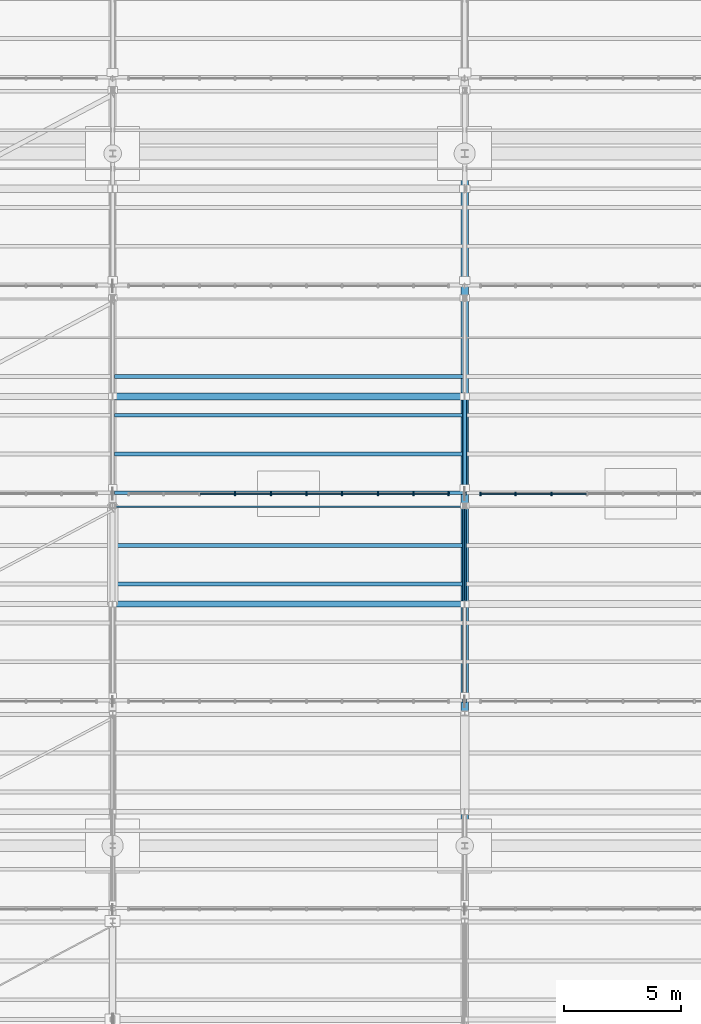
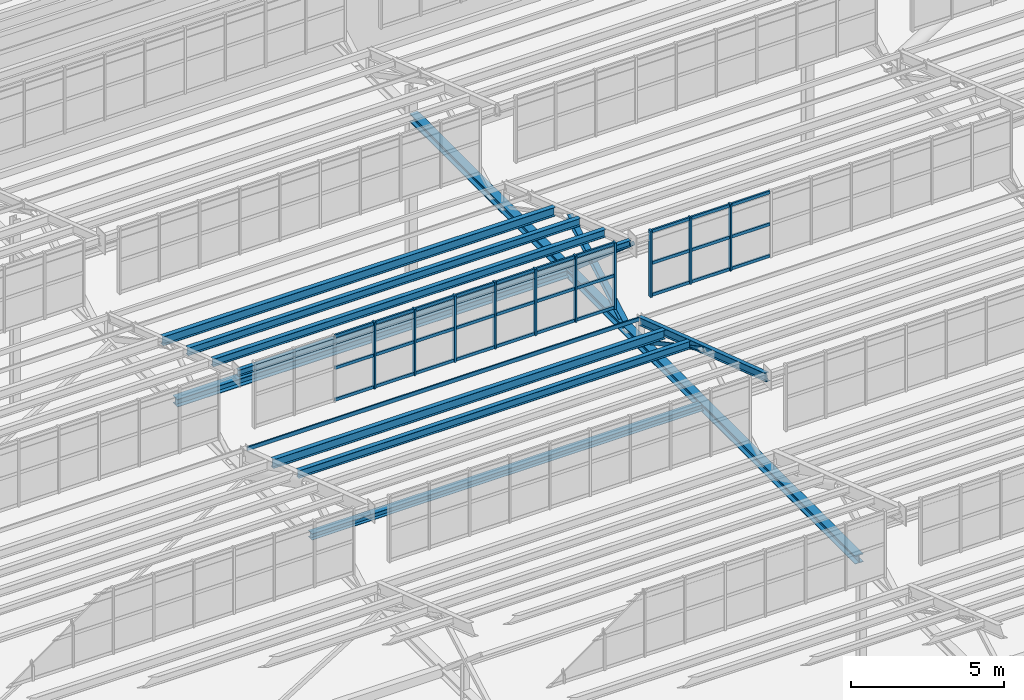
# One storey, part 93 of 285: 45 members, 9 beams, 2 elements without a shape of their own.
"""IFC4 building model written with IfcOpenShell, lengths in metres."""

from ifc_helpers import new_model, si_unit, direction, frame, origin, origin_2d, place, context, subcontext, project, spatial, rectangle, hollow_rectangle, i_section, extrude, material, material_profile, profile_set, type_object, element, aggregate, save


model = new_model("IFC4")

# Units and contexts
model_context = context("Model", 3, precision=1e-05, world=origin(), true_north=direction((0.0, 1.0)))
body_context = subcontext(model_context, "Body", "Model", "MODEL_VIEW")
ifc_project = project(units=[si_unit("LENGTHUNIT", "METRE"), si_unit("AREAUNIT", "SQUARE_METRE"), si_unit("VOLUMEUNIT", "CUBIC_METRE"), si_unit("PLANEANGLEUNIT", "RADIAN"), si_unit("MASSUNIT", "GRAM", prefix="KILO")], contexts=[model_context])

# Site, building, storey
site_placement = place(None, origin())
site = spatial("IfcSite", under=ifc_project, at=site_placement, CompositionType="ELEMENT")
building_placement = place(site_placement, origin())
building = spatial("IfcBuilding", under=site, at=building_placement, Name="Solanera Park Tramway Depot", CompositionType="ELEMENT")
storey_placement = place(building_placement, origin())
storey = spatial("IfcBuildingStorey", under=building, at=storey_placement, Name="L00", CompositionType="ELEMENT", Elevation=0.0)

# Curtain wall, members
ifc_material_1 = material(Name="Bronze-anodised thermally broken aluminium curtain wall", Category="aluminium")
curtain_wall_type = type_object("IfcCurtainWallType", Name="Sawtooth Clerestory Monitor Curtain Wall", PredefinedType="NOTDEFINED", material=ifc_material_1)
curtain_wall_1_placement = place(storey_placement, origin())
curtain_wall_1 = element("IfcCurtainWall", 1, at=curtain_wall_1_placement, inside=storey, type_object=curtain_wall_type, Name="L00 Sawtooth Clerestory Monitor Curtain Wall #039", PredefinedType="NOTDEFINED")
ifc_material_2 = material(Name="Bronze-anodised structural aluminium 6063-T6", Category="aluminium")
ifc_material_profile_1 = material_profile(ifc_material_2, rectangle(XDim=0.06494140625, YDim=0.14990234375, at=origin_2d()), Name="Curtain Wall Mullion 65x150")
ifc_profile_set_1 = profile_set([ifc_material_profile_1], Name="Bronze-anodised structural aluminium 6063-T6")
member_type_1 = type_object("IfcMemberType", Name="Curtain Wall Mullion 65x150", PredefinedType="MULLION", material=ifc_profile_set_1)
member_1_placement = place(storey_placement, frame((65.216796875, 100.0, 7.75), z_axis=(0.0, 0.0, 1.0), x_axis=(1.0, 0.0, 0.0)))
member_1 = element("IfcMember", 2, at=member_1_placement, type_object=member_type_1, Name="CW-L00-039 Mullion 4", PredefinedType="MULLION", context=body_context, shape_type="SweptSolid", body=[
    extrude(rectangle(XDim=0.06494140625, YDim=0.14990234375, at=origin_2d()), origin(), (0.0, 0.0, 1.0), 2.6611328125),
])
member_2_placement = place(storey_placement, frame((66.739013671875, 100.0, 7.75), z_axis=(0.0, 0.0, 1.0), x_axis=(1.0, 0.0, 0.0)))
member_2 = element("IfcMember", 3, at=member_2_placement, type_object=member_type_1, Name="CW-L00-039 Mullion 5", PredefinedType="MULLION", context=body_context, shape_type="SweptSolid", body=[
    extrude(rectangle(XDim=0.06494140625, YDim=0.14990234375, at=origin_2d()), origin(), (0.0, 0.0, 1.0), 2.6611328125),
])
member_3_placement = place(storey_placement, frame((68.260986328125, 100.0, 7.75), z_axis=(0.0, 0.0, 1.0), x_axis=(1.0, 0.0, 0.0)))
member_3 = element("IfcMember", 4, at=member_3_placement, type_object=member_type_1, Name="CW-L00-039 Mullion 6", PredefinedType="MULLION", context=body_context, shape_type="SweptSolid", body=[
    extrude(rectangle(XDim=0.06494140625, YDim=0.14990234375, at=origin_2d()), origin(), (0.0, 0.0, 1.0), 2.6611328125),
])
member_4_placement = place(storey_placement, frame((69.783203125, 100.0, 7.75), z_axis=(0.0, 0.0, 1.0), x_axis=(1.0, 0.0, 0.0)))
member_4 = element("IfcMember", 5, at=member_4_placement, type_object=member_type_1, Name="CW-L00-039 Mullion 7", PredefinedType="MULLION", context=body_context, shape_type="SweptSolid", body=[
    extrude(rectangle(XDim=0.06494140625, YDim=0.14990234375, at=origin_2d()), origin(), (0.0, 0.0, 1.0), 2.6611328125),
])
member_5_placement = place(storey_placement, frame((71.3056640625, 100.0, 7.75), z_axis=(0.0, 0.0, 1.0), x_axis=(1.0, 0.0, 0.0)))
member_5 = element("IfcMember", 6, at=member_5_placement, type_object=member_type_1, Name="CW-L00-039 Mullion 8", PredefinedType="MULLION", context=body_context, shape_type="SweptSolid", body=[
    extrude(rectangle(XDim=0.06494140625, YDim=0.14990234375, at=origin_2d()), origin(), (0.0, 0.0, 1.0), 2.6611328125),
])
member_6_placement = place(storey_placement, frame((72.827880859375, 100.0, 7.75), z_axis=(0.0, 0.0, 1.0), x_axis=(1.0, 0.0, 0.0)))
member_6 = element("IfcMember", 7, at=member_6_placement, type_object=member_type_1, Name="CW-L00-039 Mullion 9", PredefinedType="MULLION", context=body_context, shape_type="SweptSolid", body=[
    extrude(rectangle(XDim=0.06494140625, YDim=0.14990234375, at=origin_2d()), origin(), (0.0, 0.0, 1.0), 2.6611328125),
])
member_7_placement = place(storey_placement, frame((74.3173828125, 100.0, 7.75), z_axis=(0.0, 0.0, 1.0), x_axis=(1.0, 0.0, 0.0)))
member_7 = element("IfcMember", 8, at=member_7_placement, type_object=member_type_1, Name="CW-L00-039 Mullion 10", PredefinedType="MULLION", context=body_context, shape_type="SweptSolid", body=[
    extrude(rectangle(XDim=0.06494140625, YDim=0.14990234375, at=origin_2d()), origin(), (0.0, 0.0, 1.0), 2.6611328125),
])

curtain_wall_2_placement = place(storey_placement, origin())
curtain_wall_2 = element("IfcCurtainWall", 9, at=curtain_wall_2_placement, inside=storey, type_object=curtain_wall_type, Name="L00 Sawtooth Clerestory Monitor Curtain Wall #040", PredefinedType="NOTDEFINED")
member_8_placement = place(storey_placement, frame((75.6826171875, 100.0, 7.75), z_axis=(0.0, 0.0, 1.0), x_axis=(1.0, 0.0, 0.0)))
member_8 = element("IfcMember", 10, at=member_8_placement, type_object=member_type_1, Name="CW-L00-040 Mullion 1", PredefinedType="MULLION", context=body_context, shape_type="SweptSolid", body=[
    extrude(rectangle(XDim=0.06494140625, YDim=0.14990234375, at=origin_2d()), origin(), (0.0, 0.0, 1.0), 2.6611328125),
])
member_9_placement = place(storey_placement, frame((77.172119140625, 100.0, 7.75), z_axis=(0.0, 0.0, 1.0), x_axis=(1.0, 0.0, 0.0)))
member_9 = element("IfcMember", 11, at=member_9_placement, type_object=member_type_1, Name="CW-L00-040 Mullion 2", PredefinedType="MULLION", context=body_context, shape_type="SweptSolid", body=[
    extrude(rectangle(XDim=0.06494140625, YDim=0.14990234375, at=origin_2d()), origin(), (0.0, 0.0, 1.0), 2.6611328125),
])
member_10_placement = place(storey_placement, frame((78.6943359375, 100.0, 7.75), z_axis=(0.0, 0.0, 1.0), x_axis=(1.0, 0.0, 0.0)))
member_10 = element("IfcMember", 12, at=member_10_placement, type_object=member_type_1, Name="CW-L00-040 Mullion 3", PredefinedType="MULLION", context=body_context, shape_type="SweptSolid", body=[
    extrude(rectangle(XDim=0.06494140625, YDim=0.14990234375, at=origin_2d()), origin(), (0.0, 0.0, 1.0), 2.6611328125),
])

# Member
ifc_material_3 = material(Name="Bronze-anodised structural aluminium 6063-T6", Category="aluminium")
ifc_material_profile_2 = material_profile(ifc_material_3, rectangle(XDim=0.06494140625, YDim=0.1201171875, at=origin_2d()), Name="Curtain Wall Transom 65x120")
ifc_profile_set_2 = profile_set([ifc_material_profile_2], Name="Bronze-anodised structural aluminium 6063-T6")
member_type_2 = type_object("IfcMemberType", Name="Curtain Wall Transom 65x120", PredefinedType="USERDEFINED", material=ifc_profile_set_2)
member_11_placement = place(storey_placement, frame((63.722412109375, 100.0, 7.81005859375), z_axis=(1.0, 0.0, 0.0), x_axis=(0.0, 1.0, 0.0)))
member_11 = element("IfcMember", 13, at=member_11_placement, type_object=member_type_2, Name="CW-L00-039 Transom R1.C3", ObjectType="TRANSOM", PredefinedType="USERDEFINED", context=body_context, shape_type="SweptSolid", body=[
    extrude(rectangle(XDim=0.06494140625, YDim=0.1201171875, at=origin_2d()), origin(), (0.0, 0.0, 1.0), 1.46630859375),
])

member_12_placement = place(storey_placement, frame((65.24462890625, 100.0, 7.81005859375), z_axis=(1.0, 0.0, 0.0), x_axis=(0.0, 1.0, 0.0)))
member_12 = element("IfcMember", 14, at=member_12_placement, type_object=member_type_2, Name="CW-L00-039 Transom R1.C4", ObjectType="TRANSOM", PredefinedType="USERDEFINED", context=body_context, shape_type="SweptSolid", body=[
    extrude(rectangle(XDim=0.06494140625, YDim=0.1201171875, at=origin_2d()), origin(), (0.0, 0.0, 1.0), 1.46630859375),
])

member_13_placement = place(storey_placement, frame((66.766845703125, 100.0, 7.81005859375), z_axis=(1.0, 0.0, 0.0), x_axis=(0.0, 1.0, 0.0)))
member_13 = element("IfcMember", 15, at=member_13_placement, type_object=member_type_2, Name="CW-L00-039 Transom R1.C5", ObjectType="TRANSOM", PredefinedType="USERDEFINED", context=body_context, shape_type="SweptSolid", body=[
    extrude(rectangle(XDim=0.06494140625, YDim=0.1201171875, at=origin_2d()), origin(), (0.0, 0.0, 1.0), 1.46630859375),
])

member_14_placement = place(storey_placement, frame((68.2890625, 100.0, 7.81005859375), z_axis=(1.0, 0.0, 0.0), x_axis=(0.0, 1.0, 0.0)))
member_14 = element("IfcMember", 16, at=member_14_placement, type_object=member_type_2, Name="CW-L00-039 Transom R1.C6", ObjectType="TRANSOM", PredefinedType="USERDEFINED", context=body_context, shape_type="SweptSolid", body=[
    extrude(rectangle(XDim=0.06494140625, YDim=0.1201171875, at=origin_2d()), origin(), (0.0, 0.0, 1.0), 1.46630859375),
])

member_15_placement = place(storey_placement, frame((69.811279296875, 100.0, 7.81005859375), z_axis=(1.0, 0.0, 0.0), x_axis=(0.0, 1.0, 0.0)))
member_15 = element("IfcMember", 17, at=member_15_placement, type_object=member_type_2, Name="CW-L00-039 Transom R1.C7", ObjectType="TRANSOM", PredefinedType="USERDEFINED", context=body_context, shape_type="SweptSolid", body=[
    extrude(rectangle(XDim=0.06494140625, YDim=0.1201171875, at=origin_2d()), origin(), (0.0, 0.0, 1.0), 1.46630859375),
])

member_16_placement = place(storey_placement, frame((71.33349609375, 100.0, 7.81005859375), z_axis=(1.0, 0.0, 0.0), x_axis=(0.0, 1.0, 0.0)))
member_16 = element("IfcMember", 18, at=member_16_placement, type_object=member_type_2, Name="CW-L00-039 Transom R1.C8", ObjectType="TRANSOM", PredefinedType="USERDEFINED", context=body_context, shape_type="SweptSolid", body=[
    extrude(rectangle(XDim=0.06494140625, YDim=0.1201171875, at=origin_2d()), origin(), (0.0, 0.0, 1.0), 1.46630859375),
])

member_17_placement = place(storey_placement, frame((72.855712890625, 100.0, 7.81005859375), z_axis=(1.0, 0.0, 0.0), x_axis=(0.0, 1.0, 0.0)))
member_17 = element("IfcMember", 19, at=member_17_placement, type_object=member_type_2, Name="CW-L00-039 Transom R1.C9", ObjectType="TRANSOM", PredefinedType="USERDEFINED", context=body_context, shape_type="SweptSolid", body=[
    extrude(rectangle(XDim=0.06494140625, YDim=0.1201171875, at=origin_2d()), origin(), (0.0, 0.0, 1.0), 1.433837890625),
])

member_18_placement = place(storey_placement, frame((63.722412109375, 100.0, 9.08056640625), z_axis=(1.0, 0.0, 0.0), x_axis=(0.0, 1.0, 0.0)))
member_18 = element("IfcMember", 20, at=member_18_placement, type_object=member_type_2, Name="CW-L00-039 Transom R2.C3", ObjectType="TRANSOM", PredefinedType="USERDEFINED", context=body_context, shape_type="SweptSolid", body=[
    extrude(rectangle(XDim=0.06494140625, YDim=0.1201171875, at=origin_2d()), origin(), (0.0, 0.0, 1.0), 1.46630859375),
])

member_19_placement = place(storey_placement, frame((65.24462890625, 100.0, 9.08056640625), z_axis=(1.0, 0.0, 0.0), x_axis=(0.0, 1.0, 0.0)))
member_19 = element("IfcMember", 21, at=member_19_placement, type_object=member_type_2, Name="CW-L00-039 Transom R2.C4", ObjectType="TRANSOM", PredefinedType="USERDEFINED", context=body_context, shape_type="SweptSolid", body=[
    extrude(rectangle(XDim=0.06494140625, YDim=0.1201171875, at=origin_2d()), origin(), (0.0, 0.0, 1.0), 1.46630859375),
])

member_20_placement = place(storey_placement, frame((66.766845703125, 100.0, 9.08056640625), z_axis=(1.0, 0.0, 0.0), x_axis=(0.0, 1.0, 0.0)))
member_20 = element("IfcMember", 22, at=member_20_placement, type_object=member_type_2, Name="CW-L00-039 Transom R2.C5", ObjectType="TRANSOM", PredefinedType="USERDEFINED", context=body_context, shape_type="SweptSolid", body=[
    extrude(rectangle(XDim=0.06494140625, YDim=0.1201171875, at=origin_2d()), origin(), (0.0, 0.0, 1.0), 1.46630859375),
])

member_21_placement = place(storey_placement, frame((68.2890625, 100.0, 9.08056640625), z_axis=(1.0, 0.0, 0.0), x_axis=(0.0, 1.0, 0.0)))
member_21 = element("IfcMember", 23, at=member_21_placement, type_object=member_type_2, Name="CW-L00-039 Transom R2.C6", ObjectType="TRANSOM", PredefinedType="USERDEFINED", context=body_context, shape_type="SweptSolid", body=[
    extrude(rectangle(XDim=0.06494140625, YDim=0.1201171875, at=origin_2d()), origin(), (0.0, 0.0, 1.0), 1.46630859375),
])

member_22_placement = place(storey_placement, frame((69.811279296875, 100.0, 9.08056640625), z_axis=(1.0, 0.0, 0.0), x_axis=(0.0, 1.0, 0.0)))
member_22 = element("IfcMember", 24, at=member_22_placement, type_object=member_type_2, Name="CW-L00-039 Transom R2.C7", ObjectType="TRANSOM", PredefinedType="USERDEFINED", context=body_context, shape_type="SweptSolid", body=[
    extrude(rectangle(XDim=0.06494140625, YDim=0.1201171875, at=origin_2d()), origin(), (0.0, 0.0, 1.0), 1.46630859375),
])

member_23_placement = place(storey_placement, frame((71.33349609375, 100.0, 9.08056640625), z_axis=(1.0, 0.0, 0.0), x_axis=(0.0, 1.0, 0.0)))
member_23 = element("IfcMember", 25, at=member_23_placement, type_object=member_type_2, Name="CW-L00-039 Transom R2.C8", ObjectType="TRANSOM", PredefinedType="USERDEFINED", context=body_context, shape_type="SweptSolid", body=[
    extrude(rectangle(XDim=0.06494140625, YDim=0.1201171875, at=origin_2d()), origin(), (0.0, 0.0, 1.0), 1.46630859375),
])

member_24_placement = place(storey_placement, frame((72.855712890625, 100.0, 9.08056640625), z_axis=(1.0, 0.0, 0.0), x_axis=(0.0, 1.0, 0.0)))
member_24 = element("IfcMember", 26, at=member_24_placement, type_object=member_type_2, Name="CW-L00-039 Transom R2.C9", ObjectType="TRANSOM", PredefinedType="USERDEFINED", context=body_context, shape_type="SweptSolid", body=[
    extrude(rectangle(XDim=0.06494140625, YDim=0.1201171875, at=origin_2d()), origin(), (0.0, 0.0, 1.0), 1.433837890625),
])

member_25_placement = place(storey_placement, frame((63.722412109375, 100.0, 10.351318359375), z_axis=(1.0, 0.0, 0.0), x_axis=(0.0, 1.0, 0.0)))
member_25 = element("IfcMember", 27, at=member_25_placement, type_object=member_type_2, Name="CW-L00-039 Transom R3.C3", ObjectType="TRANSOM", PredefinedType="USERDEFINED", context=body_context, shape_type="SweptSolid", body=[
    extrude(rectangle(XDim=0.06494140625, YDim=0.1201171875, at=origin_2d()), origin(), (0.0, 0.0, 1.0), 1.46630859375),
])

member_26_placement = place(storey_placement, frame((65.24462890625, 100.0, 10.351318359375), z_axis=(1.0, 0.0, 0.0), x_axis=(0.0, 1.0, 0.0)))
member_26 = element("IfcMember", 28, at=member_26_placement, type_object=member_type_2, Name="CW-L00-039 Transom R3.C4", ObjectType="TRANSOM", PredefinedType="USERDEFINED", context=body_context, shape_type="SweptSolid", body=[
    extrude(rectangle(XDim=0.06494140625, YDim=0.1201171875, at=origin_2d()), origin(), (0.0, 0.0, 1.0), 1.46630859375),
])

member_27_placement = place(storey_placement, frame((66.766845703125, 100.0, 10.351318359375), z_axis=(1.0, 0.0, 0.0), x_axis=(0.0, 1.0, 0.0)))
member_27 = element("IfcMember", 29, at=member_27_placement, type_object=member_type_2, Name="CW-L00-039 Transom R3.C5", ObjectType="TRANSOM", PredefinedType="USERDEFINED", context=body_context, shape_type="SweptSolid", body=[
    extrude(rectangle(XDim=0.06494140625, YDim=0.1201171875, at=origin_2d()), origin(), (0.0, 0.0, 1.0), 1.46630859375),
])

member_28_placement = place(storey_placement, frame((68.2890625, 100.0, 10.351318359375), z_axis=(1.0, 0.0, 0.0), x_axis=(0.0, 1.0, 0.0)))
member_28 = element("IfcMember", 30, at=member_28_placement, type_object=member_type_2, Name="CW-L00-039 Transom R3.C6", ObjectType="TRANSOM", PredefinedType="USERDEFINED", context=body_context, shape_type="SweptSolid", body=[
    extrude(rectangle(XDim=0.06494140625, YDim=0.1201171875, at=origin_2d()), origin(), (0.0, 0.0, 1.0), 1.46630859375),
])

member_29_placement = place(storey_placement, frame((69.811279296875, 100.0, 10.351318359375), z_axis=(1.0, 0.0, 0.0), x_axis=(0.0, 1.0, 0.0)))
member_29 = element("IfcMember", 31, at=member_29_placement, type_object=member_type_2, Name="CW-L00-039 Transom R3.C7", ObjectType="TRANSOM", PredefinedType="USERDEFINED", context=body_context, shape_type="SweptSolid", body=[
    extrude(rectangle(XDim=0.06494140625, YDim=0.1201171875, at=origin_2d()), origin(), (0.0, 0.0, 1.0), 1.46630859375),
])

member_30_placement = place(storey_placement, frame((71.33349609375, 100.0, 10.351318359375), z_axis=(1.0, 0.0, 0.0), x_axis=(0.0, 1.0, 0.0)))
member_30 = element("IfcMember", 32, at=member_30_placement, type_object=member_type_2, Name="CW-L00-039 Transom R3.C8", ObjectType="TRANSOM", PredefinedType="USERDEFINED", context=body_context, shape_type="SweptSolid", body=[
    extrude(rectangle(XDim=0.06494140625, YDim=0.1201171875, at=origin_2d()), origin(), (0.0, 0.0, 1.0), 1.46630859375),
])

member_31_placement = place(storey_placement, frame((72.855712890625, 100.0, 10.351318359375), z_axis=(1.0, 0.0, 0.0), x_axis=(0.0, 1.0, 0.0)))
member_31 = element("IfcMember", 33, at=member_31_placement, type_object=member_type_2, Name="CW-L00-039 Transom R3.C9", ObjectType="TRANSOM", PredefinedType="USERDEFINED", context=body_context, shape_type="SweptSolid", body=[
    extrude(rectangle(XDim=0.06494140625, YDim=0.1201171875, at=origin_2d()), origin(), (0.0, 0.0, 1.0), 1.433837890625),
])

aggregate(curtain_wall_1, [member_1, member_2, member_3, member_4, member_5, member_6, member_7, member_11, member_12, member_13, member_14, member_15, member_16, member_17, member_18, member_19, member_20, member_21, member_22, member_23, member_24, member_25, member_26, member_27, member_28, member_29, member_30, member_31])

member_32_placement = place(storey_placement, frame((75.71044921875, 100.0, 7.81005859375), z_axis=(1.0, 0.0, 0.0), x_axis=(0.0, 1.0, 0.0)))
member_32 = element("IfcMember", 34, at=member_32_placement, type_object=member_type_2, Name="CW-L00-040 Transom R1.C1", ObjectType="TRANSOM", PredefinedType="USERDEFINED", context=body_context, shape_type="SweptSolid", body=[
    extrude(rectangle(XDim=0.06494140625, YDim=0.1201171875, at=origin_2d()), origin(), (0.0, 0.0, 1.0), 1.433837890625),
])

member_33_placement = place(storey_placement, frame((77.2001953125, 100.0, 7.81005859375), z_axis=(1.0, 0.0, 0.0), x_axis=(0.0, 1.0, 0.0)))
member_33 = element("IfcMember", 35, at=member_33_placement, type_object=member_type_2, Name="CW-L00-040 Transom R1.C2", ObjectType="TRANSOM", PredefinedType="USERDEFINED", context=body_context, shape_type="SweptSolid", body=[
    extrude(rectangle(XDim=0.06494140625, YDim=0.1201171875, at=origin_2d()), origin(), (0.0, 0.0, 1.0), 1.46630859375),
])

member_34_placement = place(storey_placement, frame((78.722412109375, 100.0, 7.81005859375), z_axis=(1.0, 0.0, 0.0), x_axis=(0.0, 1.0, 0.0)))
member_34 = element("IfcMember", 36, at=member_34_placement, type_object=member_type_2, Name="CW-L00-040 Transom R1.C3", ObjectType="TRANSOM", PredefinedType="USERDEFINED", context=body_context, shape_type="SweptSolid", body=[
    extrude(rectangle(XDim=0.06494140625, YDim=0.1201171875, at=origin_2d()), origin(), (0.0, 0.0, 1.0), 1.46630859375),
])

member_35_placement = place(storey_placement, frame((75.71044921875, 100.0, 9.08056640625), z_axis=(1.0, 0.0, 0.0), x_axis=(0.0, 1.0, 0.0)))
member_35 = element("IfcMember", 37, at=member_35_placement, type_object=member_type_2, Name="CW-L00-040 Transom R2.C1", ObjectType="TRANSOM", PredefinedType="USERDEFINED", context=body_context, shape_type="SweptSolid", body=[
    extrude(rectangle(XDim=0.06494140625, YDim=0.1201171875, at=origin_2d()), origin(), (0.0, 0.0, 1.0), 1.433837890625),
])

member_36_placement = place(storey_placement, frame((77.2001953125, 100.0, 9.08056640625), z_axis=(1.0, 0.0, 0.0), x_axis=(0.0, 1.0, 0.0)))
member_36 = element("IfcMember", 38, at=member_36_placement, type_object=member_type_2, Name="CW-L00-040 Transom R2.C2", ObjectType="TRANSOM", PredefinedType="USERDEFINED", context=body_context, shape_type="SweptSolid", body=[
    extrude(rectangle(XDim=0.06494140625, YDim=0.1201171875, at=origin_2d()), origin(), (0.0, 0.0, 1.0), 1.46630859375),
])

member_37_placement = place(storey_placement, frame((78.722412109375, 100.0, 9.08056640625), z_axis=(1.0, 0.0, 0.0), x_axis=(0.0, 1.0, 0.0)))
member_37 = element("IfcMember", 39, at=member_37_placement, type_object=member_type_2, Name="CW-L00-040 Transom R2.C3", ObjectType="TRANSOM", PredefinedType="USERDEFINED", context=body_context, shape_type="SweptSolid", body=[
    extrude(rectangle(XDim=0.06494140625, YDim=0.1201171875, at=origin_2d()), origin(), (0.0, 0.0, 1.0), 1.46630859375),
])

member_38_placement = place(storey_placement, frame((75.71044921875, 100.0, 10.351318359375), z_axis=(1.0, 0.0, 0.0), x_axis=(0.0, 1.0, 0.0)))
member_38 = element("IfcMember", 40, at=member_38_placement, type_object=member_type_2, Name="CW-L00-040 Transom R3.C1", ObjectType="TRANSOM", PredefinedType="USERDEFINED", context=body_context, shape_type="SweptSolid", body=[
    extrude(rectangle(XDim=0.06494140625, YDim=0.1201171875, at=origin_2d()), origin(), (0.0, 0.0, 1.0), 1.433837890625),
])

member_39_placement = place(storey_placement, frame((77.2001953125, 100.0, 10.351318359375), z_axis=(1.0, 0.0, 0.0), x_axis=(0.0, 1.0, 0.0)))
member_39 = element("IfcMember", 41, at=member_39_placement, type_object=member_type_2, Name="CW-L00-040 Transom R3.C2", ObjectType="TRANSOM", PredefinedType="USERDEFINED", context=body_context, shape_type="SweptSolid", body=[
    extrude(rectangle(XDim=0.06494140625, YDim=0.1201171875, at=origin_2d()), origin(), (0.0, 0.0, 1.0), 1.46630859375),
])

member_40_placement = place(storey_placement, frame((78.722412109375, 100.0, 10.351318359375), z_axis=(1.0, 0.0, 0.0), x_axis=(0.0, 1.0, 0.0)))
member_40 = element("IfcMember", 42, at=member_40_placement, type_object=member_type_2, Name="CW-L00-040 Transom R3.C3", ObjectType="TRANSOM", PredefinedType="USERDEFINED", context=body_context, shape_type="SweptSolid", body=[
    extrude(rectangle(XDim=0.06494140625, YDim=0.1201171875, at=origin_2d()), origin(), (0.0, 0.0, 1.0), 1.46630859375),
])

aggregate(curtain_wall_2, [member_8, member_9, member_10, member_32, member_33, member_34, member_35, member_36, member_37, member_38, member_39, member_40])

# Members
ifc_material_4 = material(Name="Steel AS/NZS 3679.1 Grade 350", Category="steel")
ifc_material_profile_3 = material_profile(ifc_material_4, i_section(OverallWidth=0.205078125, OverallDepth=0.209716796875, WebThickness=0.00927734375, FlangeThickness=0.01416015625, at=origin_2d()), Name="200UC59.5")
ifc_profile_set_3 = profile_set([ifc_material_profile_3], Name="Steel AS/NZS 3679.1 Grade 350")
member_type_3 = type_object("IfcMemberType", Name="Roof Gantry Compression Strut 200UC59.5", PredefinedType="STRUT", material=ifc_profile_set_3)
member_41_placement = place(storey_placement, frame((75.0, 100.25, 6.5), z_axis=(0.0, 0.869202540842, 0.49445620938), x_axis=(-1.0, 0.0, 0.0)))
element("IfcMember", 43, at=member_41_placement, inside=storey, type_object=member_type_3, Name="Sawtooth ROOF TRUSS Strut 200UC59.5 #0243", PredefinedType="STRUT", context=body_context, shape_type="SweptSolid", body=[
    extrude(i_section(OverallWidth=0.205078125, OverallDepth=0.209716796875, WebThickness=0.00927734375, FlangeThickness=0.01416015625, at=origin_2d()), origin(), (0.0, 0.0, 1.0), 4.48681640625),
])
ifc_material_5 = material(Name="Steel AS/NZS 3679.1 Grade 350", Category="steel")
ifc_material_profile_4 = material_profile(ifc_material_5, i_section(OverallWidth=0.25390625, OverallDepth=0.25390625, WebThickness=0.008544921875, FlangeThickness=0.01416015625, at=origin_2d()), Name="250UC72.9")
ifc_profile_set_4 = profile_set([ifc_material_profile_4], Name="Steel AS/NZS 3679.1 Grade 350")
member_type_4 = type_object("IfcMemberType", Name="Secondary Truss Chord 250UC72.9", PredefinedType="CHORD", material=ifc_profile_set_4)
member_42_placement = place(storey_placement, frame((60.087890625, 95.300048828125, 6.5), z_axis=(1.0, 0.0, 0.0), x_axis=(0.0, 1.0, 0.0)))
element("IfcMember", 44, at=member_42_placement, inside=storey, type_object=member_type_4, Name="Sawtooth Longitudinal Tie Chord 250UC72.9 #0218", PredefinedType="CHORD", context=body_context, shape_type="SweptSolid", body=[
    extrude(i_section(OverallWidth=0.25390625, OverallDepth=0.25390625, WebThickness=0.008544921875, FlangeThickness=0.01416015625, at=origin_2d()), origin(), (0.0, 0.0, 1.0), 14.82421875),
])
ifc_material_6 = material(Name="Steel AS/NZS 3679.1 Grade 350", Category="steel")
ifc_material_profile_5 = material_profile(ifc_material_6, i_section(OverallWidth=0.306884765625, OverallDepth=0.314697265625, WebThickness=0.011962890625, FlangeThickness=0.018798828125, at=origin_2d()), Name="310UC118")
ifc_profile_set_5 = profile_set([ifc_material_profile_5], Name="Steel AS/NZS 3679.1 Grade 350")
member_type_5 = type_object("IfcMemberType", Name="Secondary Truss Chord 310UC118", PredefinedType="CHORD", material=ifc_profile_set_5)
member_43_placement = place(storey_placement, frame((60.087890625, 104.14990234375, 6.5), z_axis=(1.0, 0.0, 0.0), x_axis=(0.0, 1.0, 0.0)))
element("IfcMember", 45, at=member_43_placement, inside=storey, type_object=member_type_5, Name="Sawtooth Longitudinal Tie Chord 310UC118 #0265", PredefinedType="CHORD", context=body_context, shape_type="SweptSolid", body=[
    extrude(i_section(OverallWidth=0.306884765625, OverallDepth=0.314697265625, WebThickness=0.011962890625, FlangeThickness=0.018798828125, at=origin_2d()), origin(), (0.0, 0.0, 1.0), 14.82421875),
])

# Beams
ifc_material_7 = material(Name="Steel AS/NZS 3679.1 Grade 350", Category="steel")
ifc_material_profile_6 = material_profile(ifc_material_7, i_section(OverallWidth=0.166015625, OverallDepth=0.30712890625, WebThickness=0.006591796875, FlangeThickness=0.01171875, at=origin_2d()), Name="310UB46.2")
ifc_profile_set_6 = profile_set([ifc_material_profile_6], Name="Steel AS/NZS 3679.1 Grade 350")
beam_type_1 = type_object("IfcBeamType", Name="Steel Beam 310UB46.2", PredefinedType="BEAM", material=ifc_profile_set_6)
beam_1_placement = place(storey_placement, frame((75.0, 91.14990234375, 10.131103515625), z_axis=(0.0, 0.948330572612, -0.317283981709), x_axis=(-1.0, 0.0, 0.0)))
element("IfcBeam", 46, at=beam_1_placement, inside=storey, type_object=beam_type_1, Name="Sawtooth ROOF TRUSS Top Rafter 310UB46.2 B05-T6", PredefinedType="BEAM", context=body_context, shape_type="SweptSolid", body=[
    extrude(i_section(OverallWidth=0.166015625, OverallDepth=0.30712890625, WebThickness=0.006591796875, FlangeThickness=0.01171875, at=origin_2d()), origin(), (0.0, 0.0, 1.0), 8.804931640625),
])
ifc_material_8 = material(Name="Steel AS/NZS 3679.1 Grade 350", Category="steel")
ifc_material_profile_7 = material_profile(ifc_material_8, i_section(OverallWidth=0.310546875, OverallDepth=0.3271484375, WebThickness=0.015625, FlangeThickness=0.02490234375, at=origin_2d()), Name="310UC158")
ifc_profile_set_7 = profile_set([ifc_material_profile_7], Name="Steel AS/NZS 3679.1 Grade 350")
beam_type_2 = type_object("IfcBeamType", Name="Steel Beam 310UC158", PredefinedType="BEAM", material=ifc_profile_set_7)
beam_2_placement = place(storey_placement, frame((75.0, 85.126953125, 6.5), z_axis=(0.0, 1.0, 0.0), x_axis=(-1.0, 0.0, 0.0)))
element("IfcBeam", 47, at=beam_2_placement, inside=storey, type_object=beam_type_2, Name="Sawtooth ROOF TRUSS Bottom Chord 310UC158 #0383", PredefinedType="BEAM", context=body_context, shape_type="SweptSolid", body=[
    extrude(i_section(OverallWidth=0.310546875, OverallDepth=0.3271484375, WebThickness=0.015625, FlangeThickness=0.02490234375, at=origin_2d()), origin(), (0.0, 0.0, 1.0), 29.2197265625),
])
ifc_material_9 = material(Name="Steel AS/NZS 1163 Grade C350L0", Category="steel")
ifc_material_profile_8 = material_profile(ifc_material_9, hollow_rectangle(XDim=0.050048828125, YDim=0.14990234375, WallThickness=0.0048828125, at=origin_2d()), Name="150x50x5.0 RHS")
ifc_profile_set_8 = profile_set([ifc_material_profile_8], Name="Steel AS/NZS 1163 Grade C350L0")
beam_type_3 = type_object("IfcBeamType", Name="Steel Joist Purlin 150x50x5.0 RHS", PredefinedType="JOIST", material=ifc_profile_set_8)
beam_3_placement = place(storey_placement, frame((60.0966796875, 99.449951171875, 7.4462890625), z_axis=(1.0, 0.0, 0.0), x_axis=(0.0, 1.0, 0.0)))
element("IfcBeam", 48, at=beam_3_placement, inside=storey, type_object=beam_type_3, Name="Sawtooth Roof Purlin 150x50x5.0 RHS B05.6", PredefinedType="JOIST", context=body_context, shape_type="SweptSolid", body=[
    extrude(hollow_rectangle(XDim=0.050048828125, YDim=0.14990234375, WallThickness=0.0048828125, at=origin_2d()), origin(), (0.0, 0.0, 1.0), 14.828369140625),
])
ifc_material_10 = material(Name="Steel AS/NZS 3679.1 Grade 350", Category="steel")
ifc_material_profile_9 = material_profile(ifc_material_10, i_section(OverallWidth=0.146484375, OverallDepth=0.256103515625, WebThickness=0.00634765625, FlangeThickness=0.010986328125, at=origin_2d()), Name="250UB37.3")
ifc_profile_set_9 = profile_set([ifc_material_profile_9], Name="Steel AS/NZS 3679.1 Grade 350")
beam_type_4 = type_object("IfcBeamType", Name="Steel Joist Purlin 250UB37.3", PredefinedType="JOIST", material=ifc_profile_set_9)
beam_4_placement = place(storey_placement, frame((60.074951171875, 100.050048828125, 10.137451171875), z_axis=(1.0, 0.0, 0.0), x_axis=(0.0, 1.0, 0.0)))
element("IfcBeam", 49, at=beam_4_placement, inside=storey, type_object=beam_type_4, Name="Sawtooth Roof Purlin 250UB37.3 B06.1", PredefinedType="JOIST", context=body_context, shape_type="SweptSolid", body=[
    extrude(i_section(OverallWidth=0.146484375, OverallDepth=0.256103515625, WebThickness=0.00634765625, FlangeThickness=0.010986328125, at=origin_2d()), origin(), (0.0, 0.0, 1.0), 14.84716796875),
])
ifc_material_11 = material(Name="Steel AS/NZS 3679.1 Grade 350", Category="steel")
ifc_material_profile_10 = material_profile(ifc_material_11, i_section(OverallWidth=0.1650390625, OverallDepth=0.3037109375, WebThickness=0.006103515625, FlangeThickness=0.01025390625, at=origin_2d()), Name="310UB40.4")
ifc_profile_set_10 = profile_set([ifc_material_profile_10], Name="Steel AS/NZS 3679.1 Grade 350")
beam_type_5 = type_object("IfcBeamType", Name="Steel Joist Purlin 310UB40.4", PredefinedType="JOIST", material=ifc_profile_set_10)
beam_5_placement = place(storey_placement, frame((60.074951171875, 101.699951171875, 9.55859375), z_axis=(1.0, 0.0, 0.0), x_axis=(0.0, 1.0, 0.0)))
element("IfcBeam", 50, at=beam_5_placement, inside=storey, type_object=beam_type_5, Name="Sawtooth Roof Purlin 310UB40.4 B06.2", PredefinedType="JOIST", context=body_context, shape_type="SweptSolid", body=[
    extrude(i_section(OverallWidth=0.1650390625, OverallDepth=0.3037109375, WebThickness=0.006103515625, FlangeThickness=0.01025390625, at=origin_2d()), origin(), (0.0, 0.0, 1.0), 14.84716796875),
])
ifc_material_12 = material(Name="Steel AS/NZS 3679.1 Grade 350", Category="steel")
ifc_material_profile_11 = material_profile(ifc_material_12, i_section(OverallWidth=0.166015625, OverallDepth=0.30712890625, WebThickness=0.006591796875, FlangeThickness=0.01171875, at=origin_2d()), Name="310UB46.2")
ifc_profile_set_11 = profile_set([ifc_material_profile_11], Name="Steel AS/NZS 3679.1 Grade 350")
beam_type_6 = type_object("IfcBeamType", Name="Steel Joist Purlin 310UB46.2", PredefinedType="JOIST", material=ifc_profile_set_11)
beam_6_placement = place(storey_placement, frame((60.0966796875, 96.14990234375, 8.452392578125), z_axis=(1.0, 0.0, 0.0), x_axis=(0.0, 1.0, 0.0)))
element("IfcBeam", 51, at=beam_6_placement, inside=storey, type_object=beam_type_6, Name="Sawtooth Roof Purlin 310UB46.2 B05.4", PredefinedType="JOIST", context=body_context, shape_type="SweptSolid", body=[
    extrude(i_section(OverallWidth=0.166015625, OverallDepth=0.30712890625, WebThickness=0.006591796875, FlangeThickness=0.01171875, at=origin_2d()), origin(), (0.0, 0.0, 1.0), 14.828369140625),
])
beam_7_placement = place(storey_placement, frame((60.074951171875, 103.35009765625, 9.004638671875), z_axis=(1.0, 0.0, 0.0), x_axis=(0.0, 1.0, 0.0)))
element("IfcBeam", 52, at=beam_7_placement, inside=storey, type_object=beam_type_6, Name="Sawtooth Roof Purlin 310UB46.2 B06.3", PredefinedType="JOIST", context=body_context, shape_type="SweptSolid", body=[
    extrude(i_section(OverallWidth=0.166015625, OverallDepth=0.30712890625, WebThickness=0.006591796875, FlangeThickness=0.01171875, at=origin_2d()), origin(), (0.0, 0.0, 1.0), 14.84716796875),
])
ifc_material_13 = material(Name="Steel AS/NZS 3679.1 Grade 350", Category="steel")
ifc_material_profile_12 = material_profile(ifc_material_13, i_section(OverallWidth=0.17138671875, OverallDepth=0.355712890625, WebThickness=0.00732421875, FlangeThickness=0.011474609375, at=origin_2d()), Name="360UB50.7")
ifc_profile_set_12 = profile_set([ifc_material_profile_12], Name="Steel AS/NZS 3679.1 Grade 350")
beam_type_7 = type_object("IfcBeamType", Name="Steel Joist Purlin 360UB50.7", PredefinedType="JOIST", material=ifc_profile_set_12)
beam_8_placement = place(storey_placement, frame((60.0966796875, 97.800048828125, 7.875244140625), z_axis=(1.0, 0.0, 0.0), x_axis=(0.0, 1.0, 0.0)))
element("IfcBeam", 53, at=beam_8_placement, inside=storey, type_object=beam_type_7, Name="Sawtooth Roof Purlin 360UB50.7 B05.5", PredefinedType="JOIST", context=body_context, shape_type="SweptSolid", body=[
    extrude(i_section(OverallWidth=0.17138671875, OverallDepth=0.355712890625, WebThickness=0.00732421875, FlangeThickness=0.011474609375, at=origin_2d()), origin(), (0.0, 0.0, 1.0), 14.828369140625),
])
beam_9_placement = place(storey_placement, frame((60.074951171875, 105.0, 8.42724609375), z_axis=(1.0, 0.0, 0.0), x_axis=(0.0, 1.0, 0.0)))
element("IfcBeam", 54, at=beam_9_placement, inside=storey, type_object=beam_type_7, Name="Sawtooth Roof Purlin 360UB50.7 B06.4", PredefinedType="JOIST", context=body_context, shape_type="SweptSolid", body=[
    extrude(i_section(OverallWidth=0.17138671875, OverallDepth=0.355712890625, WebThickness=0.00732421875, FlangeThickness=0.011474609375, at=origin_2d()), origin(), (0.0, 0.0, 1.0), 14.84716796875),
])

# Members
ifc_material_14 = material(Name="Steel AS/NZS 1163 Grade C350L0", Category="steel")
ifc_material_profile_13 = material_profile(ifc_material_14, hollow_rectangle(XDim=0.14990234375, YDim=0.14990234375, WallThickness=0.006103515625, at=origin_2d()), Name="150x150x6.0 SHS")
ifc_profile_set_13 = profile_set([ifc_material_profile_13], Name="Steel AS/NZS 1163 Grade C350L0")
member_type_6 = type_object("IfcMemberType", Name="Truss and Frame Brace 150x150x6.0 SHS", PredefinedType="BRACE", material=ifc_profile_set_13)
member_44_placement = place(storey_placement, frame((75.0, 104.14990234375, 6.5), z_axis=(0.0, -0.754756538157, 0.656005006162), x_axis=(1.0, 0.0, 0.0)))
element("IfcMember", 55, at=member_44_placement, inside=storey, type_object=member_type_6, Name="Sawtooth ROOF TRUSS Web Brace 150x150x6.0 SHS #0241", PredefinedType="BRACE", context=body_context, shape_type="SweptSolid", body=[
    extrude(hollow_rectangle(XDim=0.14990234375, YDim=0.14990234375, WallThickness=0.006103515625, at=origin_2d()), origin(), (0.0, 0.0, 1.0), 5.498291015625),
])
ifc_material_15 = material(Name="Steel AS/NZS 1163 Grade C350L0", Category="steel")
ifc_material_profile_14 = material_profile(ifc_material_15, hollow_rectangle(XDim=0.050048828125, YDim=0.14990234375, WallThickness=0.0048828125, at=origin_2d()), Name="150x50x5.0 RHS")
ifc_profile_set_14 = profile_set([ifc_material_profile_14], Name="Steel AS/NZS 1163 Grade C350L0")
member_type_7 = type_object("IfcMemberType", Name="Truss and Frame Brace 150x50x5.0 RHS", PredefinedType="BRACE", material=ifc_profile_set_14)
member_45_placement = place(storey_placement, frame((75.0, 99.5, 6.5), z_axis=(0.0, -0.882117205046, 0.471029974165), x_axis=(1.0, 0.0, 0.0)))
element("IfcMember", 56, at=member_45_placement, inside=storey, type_object=member_type_7, Name="Sawtooth ROOF TRUSS Diagonal 150x50x5.0 RHS #0195", PredefinedType="BRACE", context=body_context, shape_type="SweptSolid", body=[
    extrude(hollow_rectangle(XDim=0.050048828125, YDim=0.14990234375, WallThickness=0.0048828125, at=origin_2d()), origin(), (0.0, 0.0, 1.0), 4.76123046875),
])

save(model, "model.ifc")
